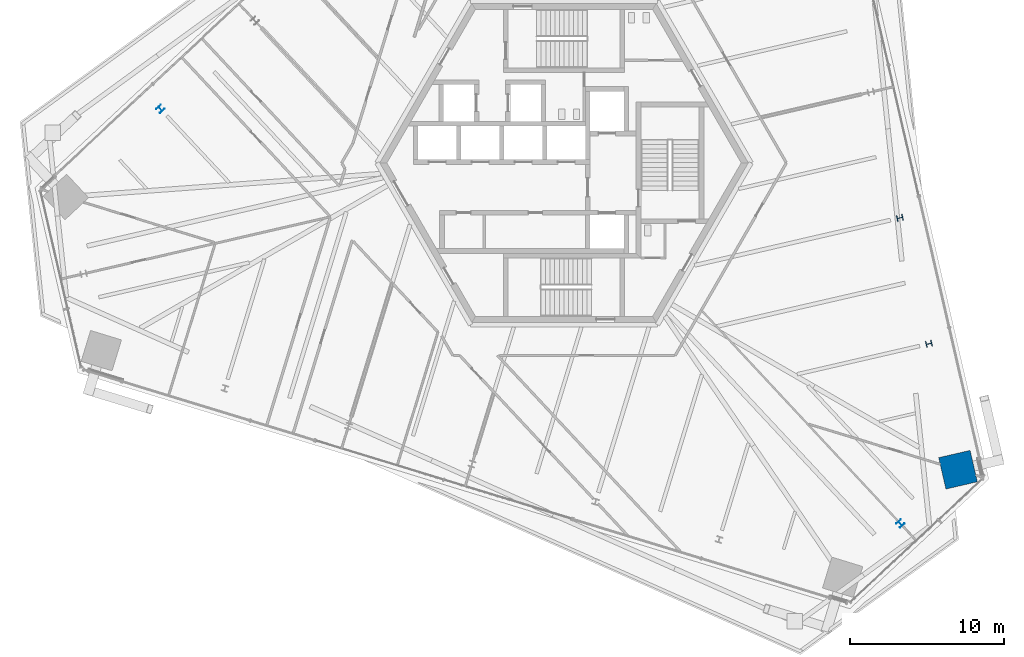
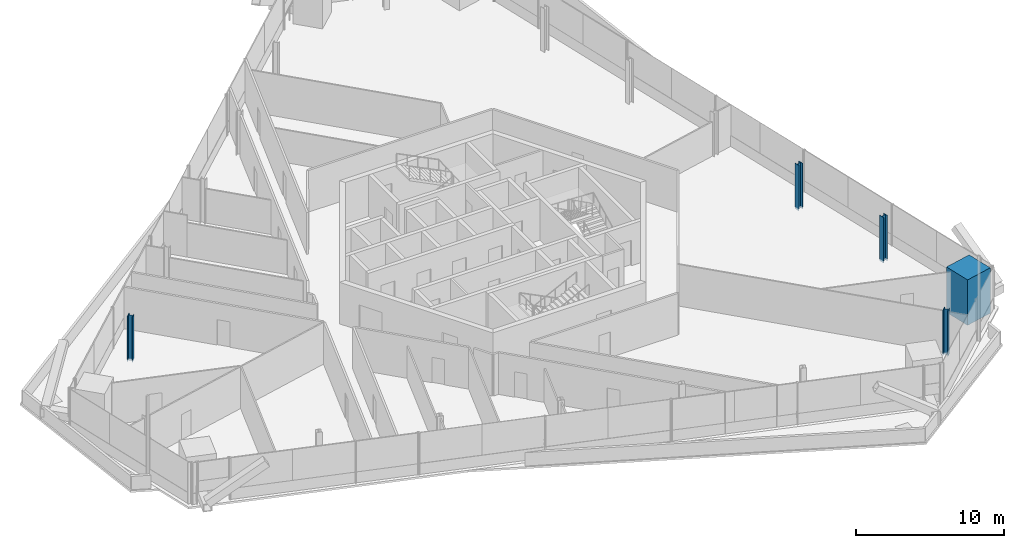
# One storey, part 2 of 25: 5 columns.
"""IFC4 building model written with IfcOpenShell, lengths in metres."""

from ifc_helpers import new_model, si_unit, direction, frame, origin, origin_2d, place, context, subcontext, project, spatial, rectangle, i_section, extrude, source, transform, mapped, material, material_profile, profile_set, type_object, element, save


model = new_model("IFC4")

# Units and contexts
model_context = context("Model", 3, precision=1e-05, world=origin(), true_north=direction((0.0, 1.0)))
body_context = subcontext(model_context, "Body", "Model", "MODEL_VIEW")
ifc_project = project(units=[si_unit("LENGTHUNIT", "METRE"), si_unit("AREAUNIT", "SQUARE_METRE"), si_unit("VOLUMEUNIT", "CUBIC_METRE"), si_unit("PLANEANGLEUNIT", "RADIAN"), si_unit("MASSUNIT", "GRAM", prefix="KILO")], contexts=[model_context])

# Site, building, storey
site_placement = place(None, origin())
site = spatial("IfcSite", under=ifc_project, at=site_placement, CompositionType="ELEMENT")
building_placement = place(site_placement, origin())
building = spatial("IfcBuilding", under=site, at=building_placement, Name="Triune Harvest Tower", CompositionType="ELEMENT")
storey_placement = place(building_placement, frame((0.0, 0.0, 98.300048828125)))
storey = spatial("IfcBuildingStorey", under=building, at=storey_placement, Name="L24", CompositionType="ELEMENT", Elevation=98.300048828125)

# Columns
ifc_material_1 = material(Name="Concrete 70 MPa", Category="concrete")
ifc_material_profile_1 = material_profile(ifc_material_1, rectangle(XDim=2.10009765625, YDim=2.10009765625, at=origin_2d()), Name="Composite 2100x2100")
ifc_profile_set_1 = profile_set([ifc_material_profile_1], Name="Concrete 70 MPa")
column_type_1 = type_object("IfcColumnType", Name="MC-3 Mega column Composite 2100x2100", PredefinedType="COLUMN", material=ifc_profile_set_1)
shared_shape_1 = source(origin(), body_context, "Body", "SweptSolid", [
    extrude(rectangle(XDim=2.10009765625, YDim=2.10009765625, at=origin_2d()), origin(), (0.0, 0.0, 1.0), 3.760009765625),
])
column_placement = place(storey_placement, frame((25.65869140625, -19.983642578125, -0.16015625), z_axis=(0.0, 0.0, 1.0), x_axis=(-0.22495275494, 0.97436967217, 0.0)))
element("IfcColumn", 1, at=column_placement, inside=storey, type_object=column_type_1, Name="col/L24/M0", PredefinedType="COLUMN", context=body_context, shape_type="MappedRepresentation", body=[
    mapped(shared_shape_1, transform((0.0, 0.0, 0.0), scale=1.0)),
])
ifc_material_2 = material(Name="Steel ASTM A992 Gr 50", Category="steel")
ifc_material_profile_2 = material_profile(ifc_material_2, i_section(OverallWidth=0.396240234375, OverallDepth=0.381103515625, WebThickness=0.01904296875, FlangeThickness=0.0302734375, at=origin_2d()), Name="W14x159")
ifc_profile_set_2 = profile_set([ifc_material_profile_2], Name="Steel ASTM A992 Gr 50")
column_type_2 = type_object("IfcColumnType", Name="PC-3 Perimeter column W14x159", PredefinedType="COLUMN", material=ifc_profile_set_2)
shared_shape_2 = source(origin(), body_context, "Body", "SweptSolid", [
    extrude(i_section(OverallWidth=0.396240234375, OverallDepth=0.381103515625, WebThickness=0.01904296875, FlangeThickness=0.0302734375, at=origin_2d()), origin(), (0.0, 0.0, 1.0), 3.760009765625),
])
for number, where, z_axis, x_axis, name in (
    (2, (23.765869140625, -11.784912109375, -0.16015625), (0.0, 0.0, 1.0), (-0.22495275494, 0.97436967217, 0.0), "col/L24/P1"),
    (3, (21.872802734375, -3.5859375, -0.16015625), (0.0, 0.0, 1.0), (-0.22495275494, 0.97436967217, 0.0), "col/L24/P2"),
    (4, (-26.29248046875, 3.51953125, -0.16015625), (0.0, 0.0, 1.0), (-0.73135489193, -0.681997083608, 0.0), "col/L24/P13"),
    (5, (21.90185546875, -23.48681640625, -0.16015625), (0.0, 0.0, 1.0), (0.731353701619, 0.681998360062, 0.0), "col/L24/P23"),
):
    element("IfcColumn", number, at=place(storey_placement, frame(where, z_axis=z_axis, x_axis=x_axis)), inside=storey, type_object=column_type_2, Name=name, PredefinedType="COLUMN", context=body_context, shape_type="MappedRepresentation", body=[
        mapped(shared_shape_2, transform((0.0, 0.0, 0.0), scale=1.0)),
    ])

save(model, "model.ifc")
